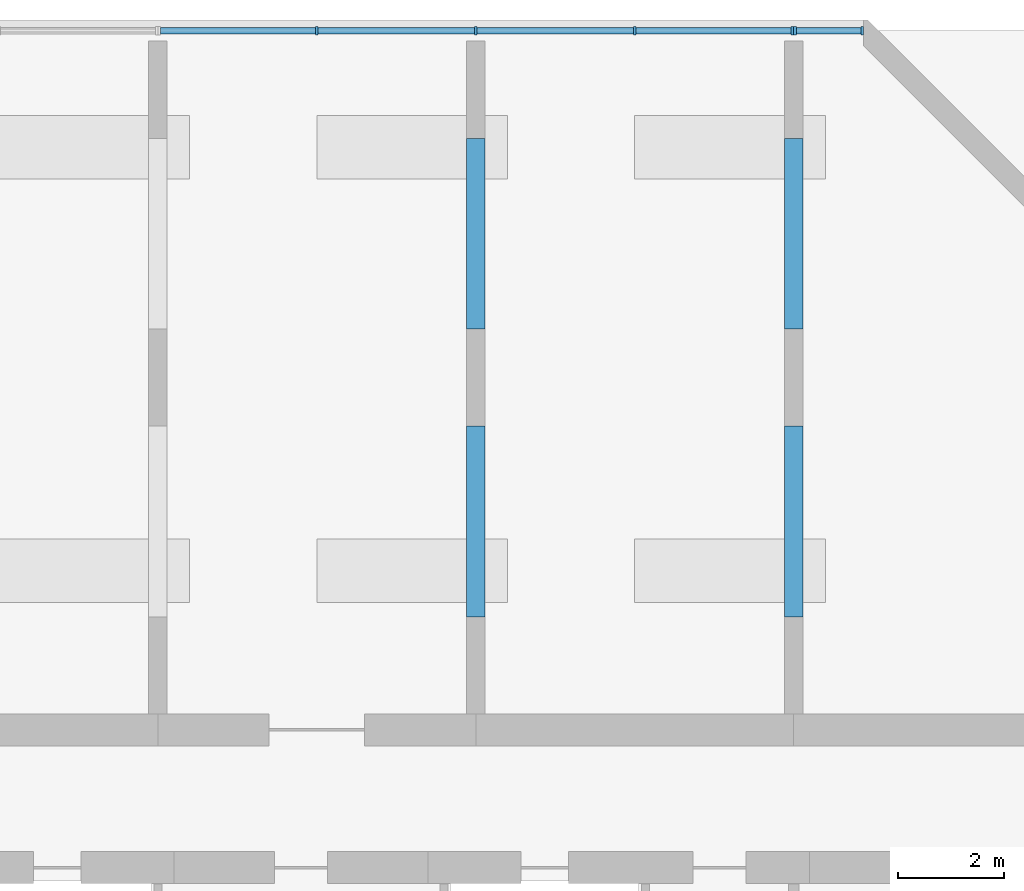
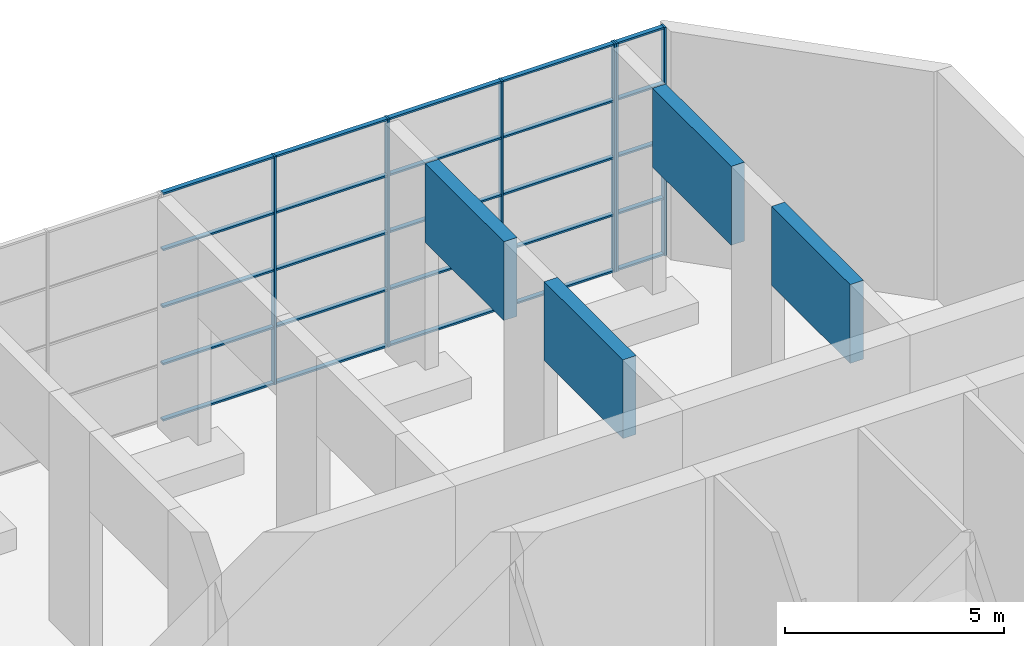
# One storey, part 3 of 16: 31 members, 4 beams, 2 elements without a shape of their own.
"""IFC4 building model written with IfcOpenShell, lengths in metres."""

from ifc_helpers import new_model, si_unit, direction, frame, origin, origin_2d, place, context, subcontext, project, spatial, rectangle, extrude, source, transform, mapped, material, layer, layer_set, material_profile, profile_set, type_object, element, aggregate, save


model = new_model("IFC4")

# Units and contexts
model_context = context("Model", 3, precision=1e-05, world=origin(), true_north=direction((0.0, 1.0)))
body_context = subcontext(model_context, "Body", "Model", "MODEL_VIEW")
ifc_project = project(units=[si_unit("LENGTHUNIT", "METRE"), si_unit("AREAUNIT", "SQUARE_METRE"), si_unit("VOLUMEUNIT", "CUBIC_METRE"), si_unit("PLANEANGLEUNIT", "RADIAN"), si_unit("MASSUNIT", "GRAM", prefix="KILO")], contexts=[model_context])

# Site, building, storey
site_placement = place(None, origin())
site = spatial("IfcSite", under=ifc_project, at=site_placement, CompositionType="ELEMENT")
building_placement = place(site_placement, origin())
building = spatial("IfcBuilding", under=site, at=building_placement, Name="Poui Terraces", CompositionType="ELEMENT")
storey_placement = place(building_placement, frame((0.0, 0.0, 115.800048828125)))
storey = spatial("IfcBuildingStorey", under=building, at=storey_placement, Name="L32", CompositionType="ELEMENT", Elevation=115.800048828125)

# Curtain wall, members
ifc_material_1 = material(Name="Clear glass", Category="glass")
ifc_layer = layer(ifc_material_1, 0.159912109375)
ifc_layer_set = layer_set([ifc_layer], Name="Clear glass")
curtain_wall_type = type_object("IfcCurtainWallType", Name="CURTAIN WALL CW-D SKY GARDEN GLAZING", PredefinedType="NOTDEFINED", material=ifc_layer_set)
curtain_wall_1_placement = place(storey_placement, origin())
curtain_wall_1 = element("IfcCurtainWall", 1, at=curtain_wall_1_placement, inside=storey, type_object=curtain_wall_type, Name="CW-D SKY GARDEN GLAZING", PredefinedType="NOTDEFINED")
ifc_material_2 = material(Name="Aluminium frame", Category="aluminium")
ifc_material_profile_1 = material_profile(ifc_material_2, rectangle(XDim=0.159912109375, YDim=0.050048828125, at=origin_2d()), Name="CW-D MULLION 50X160")
ifc_profile_set_1 = profile_set([ifc_material_profile_1], Name="Aluminium frame")
member_type_1 = type_object("IfcMemberType", Name="CW-D MULLION 50X160", PredefinedType="MULLION", material=ifc_profile_set_1)
member_1_placement = place(storey_placement, frame((83.97509765625, 43.60009765625, 0.0), z_axis=(0.0, 0.0, 1.0), x_axis=(0.0, -1.0, 0.0)))
member_1 = element("IfcMember", 2, at=member_1_placement, type_object=member_type_1, Name="CW-D mullion 1", PredefinedType="MULLION", context=body_context, shape_type="SweptSolid", body=[
    extrude(rectangle(XDim=0.159912109375, YDim=0.050048828125, at=origin_2d()), origin(), (0.0, 0.0, 1.0), 6.369873046875),
])
member_2_placement = place(storey_placement, frame((81.0, 43.60009765625, 0.0), z_axis=(0.0, 0.0, 1.0), x_axis=(0.0, -1.0, 0.0)))
member_2 = element("IfcMember", 3, at=member_2_placement, type_object=member_type_1, Name="CW-D mullion 2", PredefinedType="MULLION", context=body_context, shape_type="SweptSolid", body=[
    extrude(rectangle(XDim=0.159912109375, YDim=0.050048828125, at=origin_2d()), origin(), (0.0, 0.0, 1.0), 6.369873046875),
])
member_3_placement = place(storey_placement, frame((78.0, 43.60009765625, 0.0), z_axis=(0.0, 0.0, 1.0), x_axis=(0.0, -1.0, 0.0)))
member_3 = element("IfcMember", 4, at=member_3_placement, type_object=member_type_1, Name="CW-D mullion 3", PredefinedType="MULLION", context=body_context, shape_type="SweptSolid", body=[
    extrude(rectangle(XDim=0.159912109375, YDim=0.050048828125, at=origin_2d()), origin(), (0.0, 0.0, 1.0), 6.369873046875),
])
member_4_placement = place(storey_placement, frame((75.0, 43.60009765625, 0.0), z_axis=(0.0, 0.0, 1.0), x_axis=(0.0, -1.0, 0.0)))
member_4 = element("IfcMember", 5, at=member_4_placement, type_object=member_type_1, Name="CW-D mullion 4", PredefinedType="MULLION", context=body_context, shape_type="SweptSolid", body=[
    extrude(rectangle(XDim=0.159912109375, YDim=0.050048828125, at=origin_2d()), origin(), (0.0, 0.0, 1.0), 6.369873046875),
])

curtain_wall_2_placement = place(storey_placement, origin())
curtain_wall_2 = element("IfcCurtainWall", 6, at=curtain_wall_2_placement, inside=storey, type_object=curtain_wall_type, Name="CW-D SKY GARDEN GLAZING", PredefinedType="NOTDEFINED")
member_5_placement = place(storey_placement, frame((85.292236328125, 43.60009765625, 0.0), z_axis=(0.0, 0.0, 1.0), x_axis=(0.0, -1.0, 0.0)))
member_5 = element("IfcMember", 7, at=member_5_placement, type_object=member_type_1, Name="CW-D mullion 1", PredefinedType="MULLION", context=body_context, shape_type="SweptSolid", body=[
    extrude(rectangle(XDim=0.159912109375, YDim=0.050048828125, at=origin_2d()), origin(), (0.0, 0.0, 1.0), 6.369873046875),
])
member_6_placement = place(storey_placement, frame((84.02490234375, 43.60009765625, 0.0), z_axis=(0.0, 0.0, 1.0), x_axis=(0.0, -1.0, 0.0)))
member_6 = element("IfcMember", 8, at=member_6_placement, type_object=member_type_1, Name="CW-D mullion 2", PredefinedType="MULLION", context=body_context, shape_type="SweptSolid", body=[
    extrude(rectangle(XDim=0.159912109375, YDim=0.050048828125, at=origin_2d()), origin(), (0.0, 0.0, 1.0), 6.369873046875),
])

# Member
ifc_material_profile_2 = material_profile(ifc_material_2, rectangle(XDim=0.1201171875, YDim=0.050048828125, at=origin_2d()), Name="CW-D TRANSOM 50X120")
ifc_profile_set_2 = profile_set([ifc_material_profile_2], Name="Aluminium frame")
member_type_2 = type_object("IfcMemberType", Name="CW-D TRANSOM 50X120", PredefinedType="USERDEFINED", material=ifc_profile_set_2)
member_7_placement = place(storey_placement, frame((83.949951171875, 43.60009765625, 0.02490234375), z_axis=(-1.0, 0.0, 0.0), x_axis=(0.0, -1.0, 0.0)))
member_7 = element("IfcMember", 9, at=member_7_placement, type_object=member_type_2, Name="CW-D transom 1.1", ObjectType="TRANSOM", PredefinedType="USERDEFINED", context=body_context, shape_type="SweptSolid", body=[
    extrude(rectangle(XDim=0.1201171875, YDim=0.050048828125, at=origin_2d()), origin(), (0.0, 0.0, 1.0), 2.925048828125),
])

member_8_placement = place(storey_placement, frame((83.949951171875, 43.60009765625, 1.592529296875), z_axis=(-1.0, 0.0, 0.0), x_axis=(0.0, -1.0, 0.0)))
member_8 = element("IfcMember", 10, at=member_8_placement, type_object=member_type_2, Name="CW-D transom 1.2", ObjectType="TRANSOM", PredefinedType="USERDEFINED", context=body_context, shape_type="SweptSolid", body=[
    extrude(rectangle(XDim=0.1201171875, YDim=0.050048828125, at=origin_2d()), origin(), (0.0, 0.0, 1.0), 2.925048828125),
])

member_9_placement = place(storey_placement, frame((83.949951171875, 43.60009765625, 3.18505859375), z_axis=(-1.0, 0.0, 0.0), x_axis=(0.0, -1.0, 0.0)))
member_9 = element("IfcMember", 11, at=member_9_placement, type_object=member_type_2, Name="CW-D transom 1.3", ObjectType="TRANSOM", PredefinedType="USERDEFINED", context=body_context, shape_type="SweptSolid", body=[
    extrude(rectangle(XDim=0.1201171875, YDim=0.050048828125, at=origin_2d()), origin(), (0.0, 0.0, 1.0), 2.925048828125),
])

member_10_placement = place(storey_placement, frame((83.949951171875, 43.60009765625, 4.77734375), z_axis=(-1.0, 0.0, 0.0), x_axis=(0.0, -1.0, 0.0)))
member_10 = element("IfcMember", 12, at=member_10_placement, type_object=member_type_2, Name="CW-D transom 1.4", ObjectType="TRANSOM", PredefinedType="USERDEFINED", context=body_context, shape_type="SweptSolid", body=[
    extrude(rectangle(XDim=0.1201171875, YDim=0.050048828125, at=origin_2d()), origin(), (0.0, 0.0, 1.0), 2.925048828125),
])

member_11_placement = place(storey_placement, frame((83.949951171875, 43.60009765625, 6.344970703125), z_axis=(-1.0, 0.0, 0.0), x_axis=(0.0, -1.0, 0.0)))
member_11 = element("IfcMember", 13, at=member_11_placement, type_object=member_type_2, Name="CW-D transom 1.5", ObjectType="TRANSOM", PredefinedType="USERDEFINED", context=body_context, shape_type="SweptSolid", body=[
    extrude(rectangle(XDim=0.1201171875, YDim=0.050048828125, at=origin_2d()), origin(), (0.0, 0.0, 1.0), 2.925048828125),
])

member_12_placement = place(storey_placement, frame((80.97509765625, 43.60009765625, 0.02490234375), z_axis=(-1.0, 0.0, 0.0), x_axis=(0.0, -1.0, 0.0)))
member_12 = element("IfcMember", 14, at=member_12_placement, type_object=member_type_2, Name="CW-D transom 2.1", ObjectType="TRANSOM", PredefinedType="USERDEFINED", context=body_context, shape_type="SweptSolid", body=[
    extrude(rectangle(XDim=0.1201171875, YDim=0.050048828125, at=origin_2d()), origin(), (0.0, 0.0, 1.0), 2.9501953125),
])

member_13_placement = place(storey_placement, frame((80.97509765625, 43.60009765625, 1.592529296875), z_axis=(-1.0, 0.0, 0.0), x_axis=(0.0, -1.0, 0.0)))
member_13 = element("IfcMember", 15, at=member_13_placement, type_object=member_type_2, Name="CW-D transom 2.2", ObjectType="TRANSOM", PredefinedType="USERDEFINED", context=body_context, shape_type="SweptSolid", body=[
    extrude(rectangle(XDim=0.1201171875, YDim=0.050048828125, at=origin_2d()), origin(), (0.0, 0.0, 1.0), 2.9501953125),
])

member_14_placement = place(storey_placement, frame((80.97509765625, 43.60009765625, 3.18505859375), z_axis=(-1.0, 0.0, 0.0), x_axis=(0.0, -1.0, 0.0)))
member_14 = element("IfcMember", 16, at=member_14_placement, type_object=member_type_2, Name="CW-D transom 2.3", ObjectType="TRANSOM", PredefinedType="USERDEFINED", context=body_context, shape_type="SweptSolid", body=[
    extrude(rectangle(XDim=0.1201171875, YDim=0.050048828125, at=origin_2d()), origin(), (0.0, 0.0, 1.0), 2.9501953125),
])

member_15_placement = place(storey_placement, frame((80.97509765625, 43.60009765625, 4.77734375), z_axis=(-1.0, 0.0, 0.0), x_axis=(0.0, -1.0, 0.0)))
member_15 = element("IfcMember", 17, at=member_15_placement, type_object=member_type_2, Name="CW-D transom 2.4", ObjectType="TRANSOM", PredefinedType="USERDEFINED", context=body_context, shape_type="SweptSolid", body=[
    extrude(rectangle(XDim=0.1201171875, YDim=0.050048828125, at=origin_2d()), origin(), (0.0, 0.0, 1.0), 2.9501953125),
])

member_16_placement = place(storey_placement, frame((80.97509765625, 43.60009765625, 6.344970703125), z_axis=(-1.0, 0.0, 0.0), x_axis=(0.0, -1.0, 0.0)))
member_16 = element("IfcMember", 18, at=member_16_placement, type_object=member_type_2, Name="CW-D transom 2.5", ObjectType="TRANSOM", PredefinedType="USERDEFINED", context=body_context, shape_type="SweptSolid", body=[
    extrude(rectangle(XDim=0.1201171875, YDim=0.050048828125, at=origin_2d()), origin(), (0.0, 0.0, 1.0), 2.9501953125),
])

member_17_placement = place(storey_placement, frame((77.97509765625, 43.60009765625, 0.02490234375), z_axis=(-1.0, 0.0, 0.0), x_axis=(0.0, -1.0, 0.0)))
member_17 = element("IfcMember", 19, at=member_17_placement, type_object=member_type_2, Name="CW-D transom 3.1", ObjectType="TRANSOM", PredefinedType="USERDEFINED", context=body_context, shape_type="SweptSolid", body=[
    extrude(rectangle(XDim=0.1201171875, YDim=0.050048828125, at=origin_2d()), origin(), (0.0, 0.0, 1.0), 2.9501953125),
])

member_18_placement = place(storey_placement, frame((77.97509765625, 43.60009765625, 1.592529296875), z_axis=(-1.0, 0.0, 0.0), x_axis=(0.0, -1.0, 0.0)))
member_18 = element("IfcMember", 20, at=member_18_placement, type_object=member_type_2, Name="CW-D transom 3.2", ObjectType="TRANSOM", PredefinedType="USERDEFINED", context=body_context, shape_type="SweptSolid", body=[
    extrude(rectangle(XDim=0.1201171875, YDim=0.050048828125, at=origin_2d()), origin(), (0.0, 0.0, 1.0), 2.9501953125),
])

member_19_placement = place(storey_placement, frame((77.97509765625, 43.60009765625, 3.18505859375), z_axis=(-1.0, 0.0, 0.0), x_axis=(0.0, -1.0, 0.0)))
member_19 = element("IfcMember", 21, at=member_19_placement, type_object=member_type_2, Name="CW-D transom 3.3", ObjectType="TRANSOM", PredefinedType="USERDEFINED", context=body_context, shape_type="SweptSolid", body=[
    extrude(rectangle(XDim=0.1201171875, YDim=0.050048828125, at=origin_2d()), origin(), (0.0, 0.0, 1.0), 2.9501953125),
])

member_20_placement = place(storey_placement, frame((77.97509765625, 43.60009765625, 4.77734375), z_axis=(-1.0, 0.0, 0.0), x_axis=(0.0, -1.0, 0.0)))
member_20 = element("IfcMember", 22, at=member_20_placement, type_object=member_type_2, Name="CW-D transom 3.4", ObjectType="TRANSOM", PredefinedType="USERDEFINED", context=body_context, shape_type="SweptSolid", body=[
    extrude(rectangle(XDim=0.1201171875, YDim=0.050048828125, at=origin_2d()), origin(), (0.0, 0.0, 1.0), 2.9501953125),
])

member_21_placement = place(storey_placement, frame((77.97509765625, 43.60009765625, 6.344970703125), z_axis=(-1.0, 0.0, 0.0), x_axis=(0.0, -1.0, 0.0)))
member_21 = element("IfcMember", 23, at=member_21_placement, type_object=member_type_2, Name="CW-D transom 3.5", ObjectType="TRANSOM", PredefinedType="USERDEFINED", context=body_context, shape_type="SweptSolid", body=[
    extrude(rectangle(XDim=0.1201171875, YDim=0.050048828125, at=origin_2d()), origin(), (0.0, 0.0, 1.0), 2.9501953125),
])

member_22_placement = place(storey_placement, frame((74.97509765625, 43.60009765625, 0.02490234375), z_axis=(-1.0, 0.0, 0.0), x_axis=(0.0, -1.0, 0.0)))
member_22 = element("IfcMember", 24, at=member_22_placement, type_object=member_type_2, Name="CW-D transom 4.1", ObjectType="TRANSOM", PredefinedType="USERDEFINED", context=body_context, shape_type="SweptSolid", body=[
    extrude(rectangle(XDim=0.1201171875, YDim=0.050048828125, at=origin_2d()), origin(), (0.0, 0.0, 1.0), 2.925048828125),
])

member_23_placement = place(storey_placement, frame((74.97509765625, 43.60009765625, 1.592529296875), z_axis=(-1.0, 0.0, 0.0), x_axis=(0.0, -1.0, 0.0)))
member_23 = element("IfcMember", 25, at=member_23_placement, type_object=member_type_2, Name="CW-D transom 4.2", ObjectType="TRANSOM", PredefinedType="USERDEFINED", context=body_context, shape_type="SweptSolid", body=[
    extrude(rectangle(XDim=0.1201171875, YDim=0.050048828125, at=origin_2d()), origin(), (0.0, 0.0, 1.0), 2.925048828125),
])

member_24_placement = place(storey_placement, frame((74.97509765625, 43.60009765625, 3.18505859375), z_axis=(-1.0, 0.0, 0.0), x_axis=(0.0, -1.0, 0.0)))
member_24 = element("IfcMember", 26, at=member_24_placement, type_object=member_type_2, Name="CW-D transom 4.3", ObjectType="TRANSOM", PredefinedType="USERDEFINED", context=body_context, shape_type="SweptSolid", body=[
    extrude(rectangle(XDim=0.1201171875, YDim=0.050048828125, at=origin_2d()), origin(), (0.0, 0.0, 1.0), 2.925048828125),
])

member_25_placement = place(storey_placement, frame((74.97509765625, 43.60009765625, 4.77734375), z_axis=(-1.0, 0.0, 0.0), x_axis=(0.0, -1.0, 0.0)))
member_25 = element("IfcMember", 27, at=member_25_placement, type_object=member_type_2, Name="CW-D transom 4.4", ObjectType="TRANSOM", PredefinedType="USERDEFINED", context=body_context, shape_type="SweptSolid", body=[
    extrude(rectangle(XDim=0.1201171875, YDim=0.050048828125, at=origin_2d()), origin(), (0.0, 0.0, 1.0), 2.925048828125),
])

member_26_placement = place(storey_placement, frame((74.97509765625, 43.60009765625, 6.344970703125), z_axis=(-1.0, 0.0, 0.0), x_axis=(0.0, -1.0, 0.0)))
member_26 = element("IfcMember", 28, at=member_26_placement, type_object=member_type_2, Name="CW-D transom 4.5", ObjectType="TRANSOM", PredefinedType="USERDEFINED", context=body_context, shape_type="SweptSolid", body=[
    extrude(rectangle(XDim=0.1201171875, YDim=0.050048828125, at=origin_2d()), origin(), (0.0, 0.0, 1.0), 2.925048828125),
])

aggregate(curtain_wall_1, [member_1, member_2, member_3, member_4, member_7, member_8, member_9, member_10, member_11, member_12, member_13, member_14, member_15, member_16, member_17, member_18, member_19, member_20, member_21, member_22, member_23, member_24, member_25, member_26])

member_27_placement = place(storey_placement, frame((85.26708984375, 43.60009765625, 0.02490234375), z_axis=(-1.0, 0.0, 0.0), x_axis=(0.0, -1.0, 0.0)))
member_27 = element("IfcMember", 29, at=member_27_placement, type_object=member_type_2, Name="CW-D transom 1.1", ObjectType="TRANSOM", PredefinedType="USERDEFINED", context=body_context, shape_type="SweptSolid", body=[
    extrude(rectangle(XDim=0.1201171875, YDim=0.050048828125, at=origin_2d()), origin(), (0.0, 0.0, 1.0), 1.217041015625),
])

member_28_placement = place(storey_placement, frame((85.26708984375, 43.60009765625, 1.592529296875), z_axis=(-1.0, 0.0, 0.0), x_axis=(0.0, -1.0, 0.0)))
member_28 = element("IfcMember", 30, at=member_28_placement, type_object=member_type_2, Name="CW-D transom 1.2", ObjectType="TRANSOM", PredefinedType="USERDEFINED", context=body_context, shape_type="SweptSolid", body=[
    extrude(rectangle(XDim=0.1201171875, YDim=0.050048828125, at=origin_2d()), origin(), (0.0, 0.0, 1.0), 1.217041015625),
])

member_29_placement = place(storey_placement, frame((85.26708984375, 43.60009765625, 3.18505859375), z_axis=(-1.0, 0.0, 0.0), x_axis=(0.0, -1.0, 0.0)))
member_29 = element("IfcMember", 31, at=member_29_placement, type_object=member_type_2, Name="CW-D transom 1.3", ObjectType="TRANSOM", PredefinedType="USERDEFINED", context=body_context, shape_type="SweptSolid", body=[
    extrude(rectangle(XDim=0.1201171875, YDim=0.050048828125, at=origin_2d()), origin(), (0.0, 0.0, 1.0), 1.217041015625),
])

member_30_placement = place(storey_placement, frame((85.26708984375, 43.60009765625, 4.77734375), z_axis=(-1.0, 0.0, 0.0), x_axis=(0.0, -1.0, 0.0)))
member_30 = element("IfcMember", 32, at=member_30_placement, type_object=member_type_2, Name="CW-D transom 1.4", ObjectType="TRANSOM", PredefinedType="USERDEFINED", context=body_context, shape_type="SweptSolid", body=[
    extrude(rectangle(XDim=0.1201171875, YDim=0.050048828125, at=origin_2d()), origin(), (0.0, 0.0, 1.0), 1.217041015625),
])

member_31_placement = place(storey_placement, frame((85.26708984375, 43.60009765625, 6.344970703125), z_axis=(-1.0, 0.0, 0.0), x_axis=(0.0, -1.0, 0.0)))
member_31 = element("IfcMember", 33, at=member_31_placement, type_object=member_type_2, Name="CW-D transom 1.5", ObjectType="TRANSOM", PredefinedType="USERDEFINED", context=body_context, shape_type="SweptSolid", body=[
    extrude(rectangle(XDim=0.1201171875, YDim=0.050048828125, at=origin_2d()), origin(), (0.0, 0.0, 1.0), 1.217041015625),
])

aggregate(curtain_wall_2, [member_5, member_6, member_27, member_28, member_29, member_30, member_31])

# Beams
ifc_material_3 = material(Name="Concrete 65 MPa", Category="concrete")
ifc_material_profile_3 = material_profile(ifc_material_3, rectangle(XDim=0.35009765625, YDim=2.199951171875, at=origin_2d()), Name="RC 350x2200")
ifc_profile_set_3 = profile_set([ifc_material_profile_3], Name="Concrete 65 MPa")
beam_type = type_object("IfcBeamType", Name="DEEP BEAM 350x2200 65MPa", PredefinedType="BEAM", material=ifc_profile_set_3)
shared_shape_1 = source(origin(), body_context, "Body", "SweptSolid", [
    extrude(rectangle(XDim=0.35009765625, YDim=2.199951171875, at=origin_2d()), origin(), (0.0, 0.0, 1.0), 3.60009765625),
])
for number, where, z_axis, x_axis, name in (
    (34, (78.0, 32.533203125, 5.27001953125), (0.0, 1.0, 0.0), (-1.0, 0.0, 0.0), "DEEP BEAM LINE 14 1"),
    (35, (84.0, 32.533203125, 5.27001953125), (0.0, 1.0, 0.0), (-1.0, 0.0, 0.0), "DEEP BEAM LINE 15 1"),
):
    element("IfcBeam", number, at=place(storey_placement, frame(where, z_axis=z_axis, x_axis=x_axis)), inside=storey, type_object=beam_type, Name=name, PredefinedType="BEAM", context=body_context, shape_type="MappedRepresentation", body=[
        mapped(shared_shape_1, transform((0.0, 0.0, 0.0))),
    ])
shared_shape_2 = source(origin(), body_context, "Body", "SweptSolid", [
    extrude(rectangle(XDim=0.35009765625, YDim=2.199951171875, at=origin_2d()), origin(), (0.0, 0.0, 1.0), 3.599853515625),
])
for number, where, z_axis, x_axis, name in (
    (36, (78.0, 37.966796875, 5.27001953125), (0.0, 1.0, 0.0), (-1.0, 0.0, 0.0), "DEEP BEAM LINE 14 2"),
    (37, (84.0, 37.966796875, 5.27001953125), (0.0, 1.0, 0.0), (-1.0, 0.0, 0.0), "DEEP BEAM LINE 15 2"),
):
    element("IfcBeam", number, at=place(storey_placement, frame(where, z_axis=z_axis, x_axis=x_axis)), inside=storey, type_object=beam_type, Name=name, PredefinedType="BEAM", context=body_context, shape_type="MappedRepresentation", body=[
        mapped(shared_shape_2, transform((0.0, 0.0, 0.0))),
    ])

save(model, "model.ifc")
